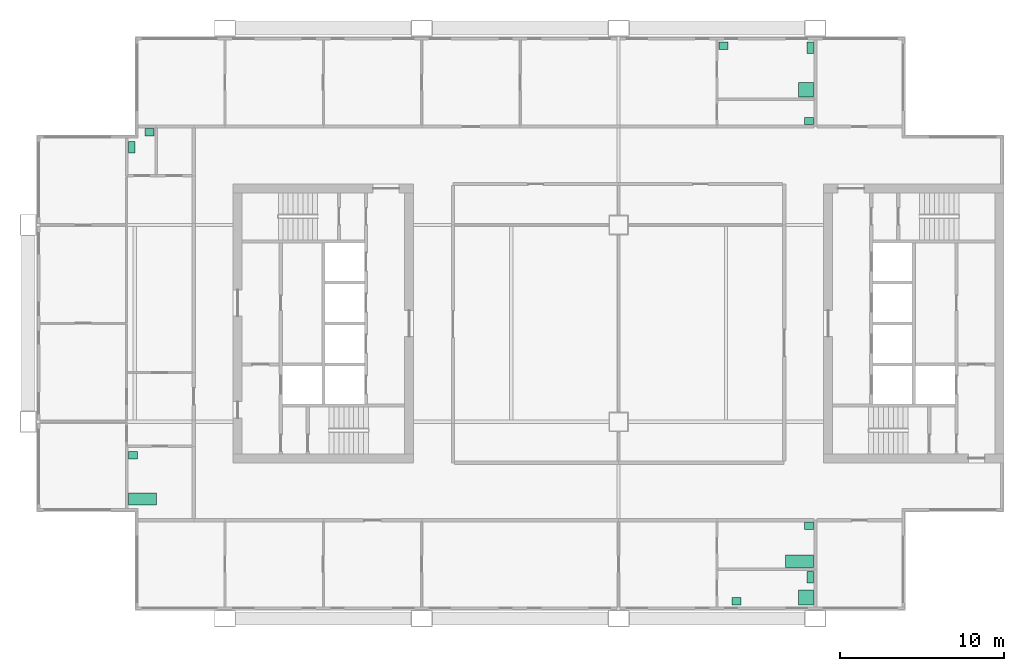
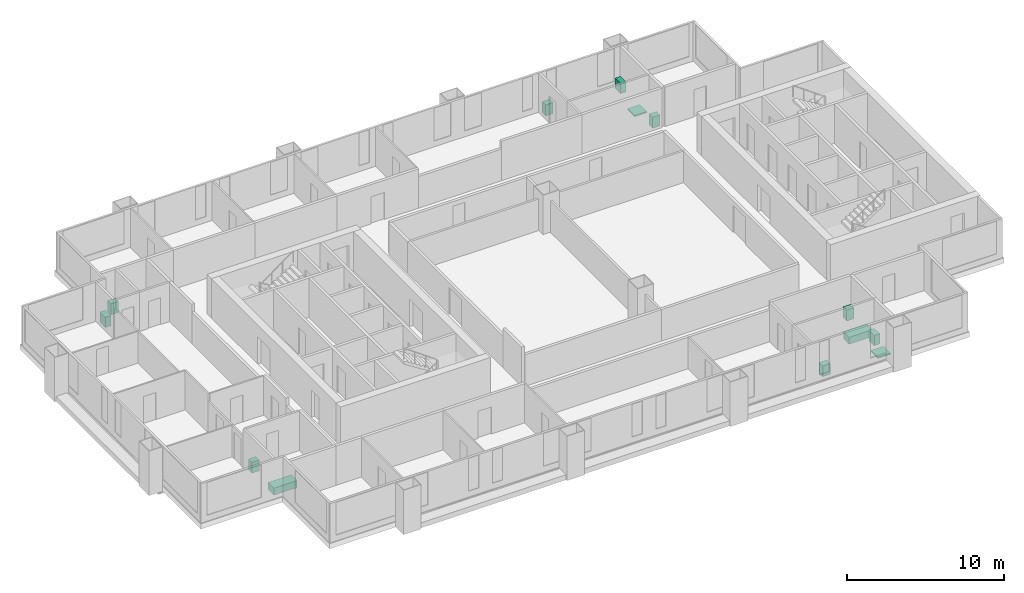
# One storey, part 9 of 9: 13 sanitary terminals.
"""IFC4 building model written with IfcOpenShell, lengths in metres."""

from ifc_helpers import new_model, si_unit, direction, frame, origin, origin_2d, place, context, subcontext, project, spatial, rectangle, extrude, material, type_object, element, save


model = new_model("IFC4")

# Units and contexts
model_context = context("Model", 3, precision=1e-05, world=origin(), true_north=direction((0.0, 1.0)))
body_context = subcontext(model_context, "Body", "Model", "MODEL_VIEW")
ifc_project = project(units=[si_unit("LENGTHUNIT", "METRE"), si_unit("AREAUNIT", "SQUARE_METRE"), si_unit("VOLUMEUNIT", "CUBIC_METRE"), si_unit("PLANEANGLEUNIT", "RADIAN"), si_unit("MASSUNIT", "GRAM", prefix="KILO")], contexts=[model_context])

# Site, building, storey
site_placement = place(None, origin())
site = spatial("IfcSite", under=ifc_project, at=site_placement, CompositionType="ELEMENT")
building_placement = place(site_placement, origin())
building = spatial("IfcBuilding", under=site, at=building_placement, Name="Kitamizu Gate Tower and Museum", CompositionType="ELEMENT")
storey_placement = place(building_placement, frame((0.0, 0.0, 168.60009765625)))
storey = spatial("IfcBuildingStorey", under=building, at=storey_placement, Name="L44", CompositionType="ELEMENT", Elevation=168.60009765625)

# Sanitary terminals
ifc_material_1 = material(Name="Acrylic")
sanitary_terminal_type_1 = type_object("IfcSanitaryTerminalType", Name="Bath", PredefinedType="BATH", material=ifc_material_1)
for number, where, z_axis, x_axis, name in (
    (1, (47.030029296875, 15.4951171875, 0.0009765625), (0.0, 0.0, 1.0), (1.0, 0.0, 0.0), "Bath Bathroom 44A"),
    (2, (6.969970703125, 19.294921875, 0.0009765625), (0.0, 0.0, 1.0), (1.0, 0.0, 0.0), "Bath Bathroom 44E"),
):
    element("IfcSanitaryTerminal", number, at=place(storey_placement, frame(where, z_axis=z_axis, x_axis=x_axis)), inside=storey, type_object=sanitary_terminal_type_1, Name=name, PredefinedType="BATH", context=body_context, shape_type="SweptSolid", body=[
        extrude(rectangle(XDim=1.699951171875, YDim=0.75, at=origin_2d()), origin(), (0.0, 0.0, 1.0), 0.550048828125),
    ])
ifc_material_2 = material(Name="Acrylic")
sanitary_terminal_type_2 = type_object("IfcSanitaryTerminalType", Name="Shower tray", PredefinedType="SHOWER", material=ifc_material_2)
for number, where, z_axis, x_axis, name in (
    (3, (47.429931640625, 13.2900390625, 0.000732421875), (0.0, 0.0, 1.0), (1.0, 0.0, 0.0), "Shower tray En-suite bathroom and WC 44A"),
    (4, (47.429931640625, 44.25, 0.000732421875), (0.0, 0.0, 1.0), (1.0, 0.0, 0.0), "Shower tray En-suite bathroom and WC 44C"),
):
    element("IfcSanitaryTerminal", number, at=place(storey_placement, frame(where, z_axis=z_axis, x_axis=x_axis)), inside=storey, type_object=sanitary_terminal_type_2, Name=name, PredefinedType="SHOWER", context=body_context, shape_type="SweptSolid", body=[
        extrude(rectangle(XDim=0.89990234375, YDim=0.89990234375, at=origin_2d()), origin(), (0.0, 0.0, 1.0), 0.10009765625),
    ])
ifc_material_3 = material(Name="Vitreous china")
sanitary_terminal_type_3 = type_object("IfcSanitaryTerminalType", Name="Wash hand basin", PredefinedType="WASHHANDBASIN", material=ifc_material_3)
for number, where, z_axis, x_axis, name in (
    (5, (43.195068359375, 13.06494140625, 0.000732421875), (0.0, 0.0, 1.0), (1.0, 0.0, 0.0), "Wash hand basin En-suite bathroom and WC 44A"),
    (6, (47.60498046875, 17.655029296875, 0.000732421875), (0.0, 0.0, 1.0), (1.0, 0.0, 0.0), "Wash hand basin Bathroom 44A"),
    (7, (42.39501953125, 46.93505859375, 0.000732421875), (0.0, 0.0, 1.0), (1.0, 0.0, 0.0), "Wash hand basin En-suite bathroom and WC 44C"),
    (8, (47.60498046875, 42.344970703125, 0.000732421875), (0.0, 0.0, 1.0), (1.0, 0.0, 0.0), "Wash hand basin Wash room 44C"),
    (9, (6.39501953125, 21.955078125, 0.000732421875), (0.0, 0.0, 1.0), (1.0, 0.0, 0.0), "Wash hand basin Bathroom 44E"),
    (10, (7.405029296875, 41.655029296875, 0.000732421875), (0.0, 0.0, 1.0), (1.0, 0.0, 0.0), "Wash hand basin WC 44E"),
):
    element("IfcSanitaryTerminal", number, at=place(storey_placement, frame(where, z_axis=z_axis, x_axis=x_axis)), inside=storey, type_object=sanitary_terminal_type_3, Name=name, PredefinedType="WASHHANDBASIN", context=body_context, shape_type="SweptSolid", body=[
        extrude(rectangle(XDim=0.550048828125, YDim=0.449951171875, at=origin_2d()), origin(), (0.0, 0.0, 1.0), 0.85009765625),
    ])
ifc_material_4 = material(Name="Vitreous china")
sanitary_terminal_type_4 = type_object("IfcSanitaryTerminalType", Name="Water closet", PredefinedType="TOILETPAN", material=ifc_material_4)
for number, where, z_axis, x_axis, name in (
    (11, (47.679931640625, 14.530029296875, 0.0009765625), (0.0, 0.0, 1.0), (1.0, 0.0, 0.0), "Water closet En-suite bathroom and WC 44A"),
    (12, (47.679931640625, 46.81005859375, 0.0009765625), (0.0, 0.0, 1.0), (1.0, 0.0, 0.0), "Water closet En-suite bathroom and WC 44C"),
    (13, (6.320068359375, 40.72998046875, 0.0009765625), (0.0, 0.0, 1.0), (1.0, 0.0, 0.0), "Water closet WC 44E"),
):
    element("IfcSanitaryTerminal", number, at=place(storey_placement, frame(where, z_axis=z_axis, x_axis=x_axis)), inside=storey, type_object=sanitary_terminal_type_4, Name=name, PredefinedType="TOILETPAN", context=body_context, shape_type="SweptSolid", body=[
        extrude(rectangle(XDim=0.39990234375, YDim=0.699951171875, at=origin_2d()), origin(), (0.0, 0.0, 1.0), 0.800048828125),
    ])

save(model, "model.ifc")
